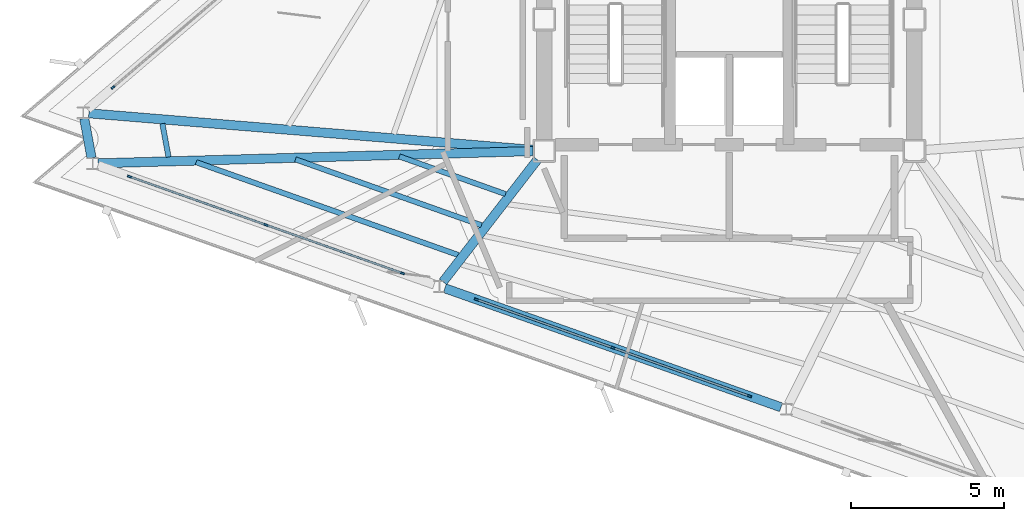
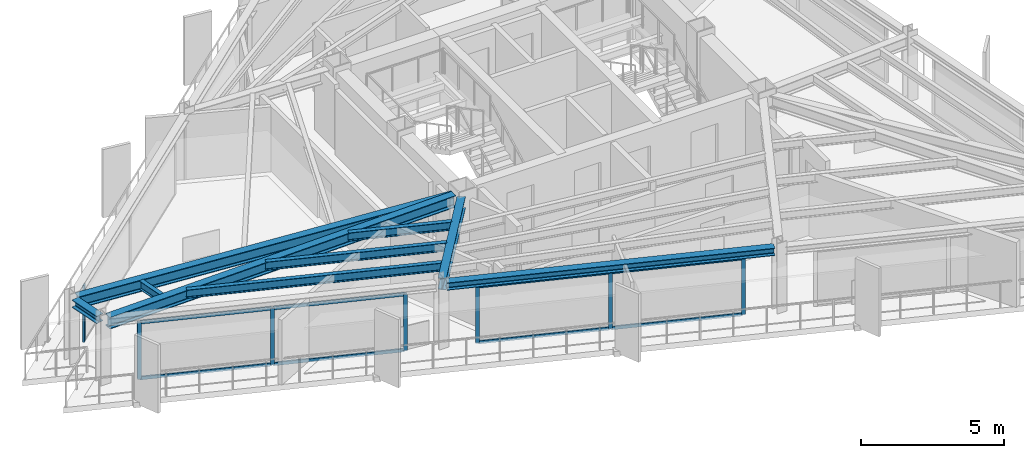
# One storey, part 2 of 14: 15 members, 9 beams, 3 elements without a shape of their own.
"""IFC4 building model written with IfcOpenShell, lengths in metres."""

from ifc_helpers import new_model, si_unit, direction, frame, origin, origin_2d, place, context, subcontext, project, spatial, rectangle, i_section, extrude, material, layer, layer_set, material_profile, profile_set, type_object, element, aggregate, save


model = new_model("IFC4")

# Units and contexts
model_context = context("Model", 3, precision=1e-05, world=origin(), true_north=direction((0.0, 1.0)))
body_context = subcontext(model_context, "Body", "Model", "MODEL_VIEW")
ifc_project = project(units=[si_unit("LENGTHUNIT", "METRE"), si_unit("AREAUNIT", "SQUARE_METRE"), si_unit("VOLUMEUNIT", "CUBIC_METRE"), si_unit("PLANEANGLEUNIT", "RADIAN"), si_unit("MASSUNIT", "GRAM", prefix="KILO")], contexts=[model_context])

# Site, building, storey
site_placement = place(None, origin())
site = spatial("IfcSite", under=ifc_project, at=site_placement, CompositionType="ELEMENT")
building_placement = place(site_placement, origin())
building = spatial("IfcBuilding", under=site, at=building_placement, Name="Rocaltana Carrier Exchange", CompositionType="ELEMENT")
storey_placement = place(building_placement, frame((0.0, 0.0, 178.39990234375)))
storey = spatial("IfcBuildingStorey", under=building, at=storey_placement, Name="L56", CompositionType="ELEMENT", Elevation=178.39990234375)

# Curtain wall, member
ifc_material_1 = material(Name="Aluminium 6063-T6", Category="aluminium")
ifc_layer = layer(ifc_material_1, 0.135009765625)
ifc_layer_set = layer_set([ifc_layer], Name="Aluminium 6063-T6")
curtain_wall_type = type_object("IfcCurtainWallType", Name="Upper-Mid Acoustic Curtain Wall CW-04", PredefinedType="NOTDEFINED", material=ifc_layer_set)
curtain_wall_1_placement = place(storey_placement, origin())
curtain_wall_1 = element("IfcCurtainWall", 1, at=curtain_wall_1_placement, inside=storey, type_object=curtain_wall_type, Name="L56 CW-04 Run CW-L56-F2S3", PredefinedType="NOTDEFINED")
ifc_material_2 = material(Name="Aluminium 6063-T6", Category="aluminium")
ifc_material_profile_1 = material_profile(ifc_material_2, rectangle(XDim=0.06494140625, YDim=0.135009765625, at=origin_2d()), Name="AL-65X135")
ifc_profile_set_1 = profile_set([ifc_material_profile_1], Name="Aluminium 6063-T6")
member_type_1 = type_object("IfcMemberType", Name="CW-04 Mullion AL-65X135", PredefinedType="MULLION", material=ifc_profile_set_1)
member_1_placement = place(storey_placement, frame((-20.14990234375, -2.2255859375, 0.0), z_axis=(0.0, 0.0, 1.0), x_axis=(0.649447944918, -0.760406053922, 0.0)))
member_1 = element("IfcMember", 2, at=member_1_placement, type_object=member_type_1, Name="CW-04 mullion 3", PredefinedType="MULLION", context=body_context, shape_type="SweptSolid", body=[
    extrude(rectangle(XDim=0.06494140625, YDim=0.135009765625, at=origin_2d()), origin(), (0.0, 0.0, 1.0), 2.447998046875),
])
aggregate(curtain_wall_1, [member_1])

# Curtain wall, members
curtain_wall_2_placement = place(storey_placement, origin())
curtain_wall_2 = element("IfcCurtainWall", 3, at=curtain_wall_2_placement, inside=storey, type_object=curtain_wall_type, Name="L56 CW-04 Run CW-L56-F3S1", PredefinedType="NOTDEFINED")
member_2_placement = place(storey_placement, frame((-19.609130859375, -5.143310546875, 0.0), z_axis=(0.0, 0.0, 1.0), x_axis=(0.333795491383, 0.942645516582, 0.0)))
member_2 = element("IfcMember", 4, at=member_2_placement, type_object=member_type_1, Name="CW-04 mullion 1", PredefinedType="MULLION", context=body_context, shape_type="SweptSolid", body=[
    extrude(rectangle(XDim=0.06494140625, YDim=0.135009765625, at=origin_2d()), origin(), (0.0, 0.0, 1.0), 2.447998046875),
])
member_3_placement = place(storey_placement, frame((-15.146484375, -6.7236328125, 0.0), z_axis=(0.0, 0.0, 1.0), x_axis=(0.333795491383, 0.942645516582, 0.0)))
member_3 = element("IfcMember", 5, at=member_3_placement, type_object=member_type_1, Name="CW-04 mullion 2", PredefinedType="MULLION", context=body_context, shape_type="SweptSolid", body=[
    extrude(rectangle(XDim=0.06494140625, YDim=0.135009765625, at=origin_2d()), origin(), (0.0, 0.0, 1.0), 2.447998046875),
])
member_4_placement = place(storey_placement, frame((-10.683837890625, -8.303955078125, 0.0), z_axis=(0.0, 0.0, 1.0), x_axis=(0.333795491383, 0.942645516582, 0.0)))
member_4 = element("IfcMember", 6, at=member_4_placement, type_object=member_type_1, Name="CW-04 mullion 3", PredefinedType="MULLION", context=body_context, shape_type="SweptSolid", body=[
    extrude(rectangle(XDim=0.06494140625, YDim=0.135009765625, at=origin_2d()), origin(), (0.0, 0.0, 1.0), 2.447998046875),
])

curtain_wall_3_placement = place(storey_placement, origin())
curtain_wall_3 = element("IfcCurtainWall", 7, at=curtain_wall_3_placement, inside=storey, type_object=curtain_wall_type, Name="L56 CW-04 Run CW-L56-F3S2", PredefinedType="NOTDEFINED")
member_5_placement = place(storey_placement, frame((-8.265869140625, -9.16015625, 0.0), z_axis=(0.0, 0.0, 1.0), x_axis=(0.333798791936, 0.942644347833, 0.0)))
member_5 = element("IfcMember", 8, at=member_5_placement, type_object=member_type_1, Name="CW-04 mullion 1", PredefinedType="MULLION", context=body_context, shape_type="SweptSolid", body=[
    extrude(rectangle(XDim=0.06494140625, YDim=0.135009765625, at=origin_2d()), origin(), (0.0, 0.0, 1.0), 2.447998046875),
])
member_6_placement = place(storey_placement, frame((-3.803466796875, -10.740478515625, 0.0), z_axis=(0.0, 0.0, 1.0), x_axis=(0.333798791936, 0.942644347833, 0.0)))
member_6 = element("IfcMember", 9, at=member_6_placement, type_object=member_type_1, Name="CW-04 mullion 2", PredefinedType="MULLION", context=body_context, shape_type="SweptSolid", body=[
    extrude(rectangle(XDim=0.06494140625, YDim=0.135009765625, at=origin_2d()), origin(), (0.0, 0.0, 1.0), 2.447998046875),
])
member_7_placement = place(storey_placement, frame((0.6591796875, -12.320556640625, 0.0), z_axis=(0.0, 0.0, 1.0), x_axis=(0.333798791936, 0.942644347833, 0.0)))
member_7 = element("IfcMember", 10, at=member_7_placement, type_object=member_type_1, Name="CW-04 mullion 3", PredefinedType="MULLION", context=body_context, shape_type="SweptSolid", body=[
    extrude(rectangle(XDim=0.06494140625, YDim=0.135009765625, at=origin_2d()), origin(), (0.0, 0.0, 1.0), 2.447998046875),
])

# Member
ifc_material_3 = material(Name="Aluminium 6063-T6", Category="aluminium")
ifc_material_profile_2 = material_profile(ifc_material_3, rectangle(XDim=0.06494140625, YDim=0.135009765625, at=origin_2d()), Name="AL-65X135")
ifc_profile_set_2 = profile_set([ifc_material_profile_2], Name="Aluminium 6063-T6")
member_type_2 = type_object("IfcMemberType", Name="CW-04 Transom AL-65X135", PredefinedType="USERDEFINED", material=ifc_profile_set_2)
member_8_placement = place(storey_placement, frame((-19.57861328125, -5.154296875, 0.03271484375), z_axis=(0.942658759466, -0.333758090841, 0.0), x_axis=(0.333758090841, 0.942658759466, 0.0)))
member_8 = element("IfcMember", 11, at=member_8_placement, type_object=member_type_2, Name="CW-04 transom 1.1", ObjectType="TRANSOM", PredefinedType="USERDEFINED", context=body_context, shape_type="SweptSolid", body=[
    extrude(rectangle(XDim=0.06494140625, YDim=0.135009765625, at=origin_2d()), origin(), (0.0, 0.0, 1.0), 4.669189453125),
])

member_9_placement = place(storey_placement, frame((-19.57861328125, -5.154296875, 2.41552734375), z_axis=(0.942658759466, -0.333758090841, 0.0), x_axis=(0.333758090841, 0.942658759466, 0.0)))
member_9 = element("IfcMember", 12, at=member_9_placement, type_object=member_type_2, Name="CW-04 transom 1.2", ObjectType="TRANSOM", PredefinedType="USERDEFINED", context=body_context, shape_type="SweptSolid", body=[
    extrude(rectangle(XDim=0.06494140625, YDim=0.135009765625, at=origin_2d()), origin(), (0.0, 0.0, 1.0), 4.669189453125),
])

member_10_placement = place(storey_placement, frame((-15.115966796875, -6.734375, 0.03271484375), z_axis=(0.942648133321, -0.333788101565, 0.0), x_axis=(0.333788101565, 0.942648133321, 0.0)))
member_10 = element("IfcMember", 13, at=member_10_placement, type_object=member_type_2, Name="CW-04 transom 2.1", ObjectType="TRANSOM", PredefinedType="USERDEFINED", context=body_context, shape_type="SweptSolid", body=[
    extrude(rectangle(XDim=0.06494140625, YDim=0.135009765625, at=origin_2d()), origin(), (0.0, 0.0, 1.0), 4.66943359375),
])

member_11_placement = place(storey_placement, frame((-15.115966796875, -6.734375, 2.41552734375), z_axis=(0.942648133321, -0.333788101565, 0.0), x_axis=(0.333788101565, 0.942648133321, 0.0)))
member_11 = element("IfcMember", 14, at=member_11_placement, type_object=member_type_2, Name="CW-04 transom 2.2", ObjectType="TRANSOM", PredefinedType="USERDEFINED", context=body_context, shape_type="SweptSolid", body=[
    extrude(rectangle(XDim=0.06494140625, YDim=0.135009765625, at=origin_2d()), origin(), (0.0, 0.0, 1.0), 4.66943359375),
])

aggregate(curtain_wall_2, [member_2, member_3, member_4, member_8, member_9, member_10, member_11])

member_12_placement = place(storey_placement, frame((-8.2353515625, -9.1708984375, 0.03271484375), z_axis=(0.942642307572, -0.333804553558, 0.0), x_axis=(0.333804553558, 0.942642307572, 0.0)))
member_12 = element("IfcMember", 15, at=member_12_placement, type_object=member_type_2, Name="CW-04 transom 1.1", ObjectType="TRANSOM", PredefinedType="USERDEFINED", context=body_context, shape_type="SweptSolid", body=[
    extrude(rectangle(XDim=0.06494140625, YDim=0.135009765625, at=origin_2d()), origin(), (0.0, 0.0, 1.0), 4.669189453125),
])

member_13_placement = place(storey_placement, frame((-8.2353515625, -9.1708984375, 2.41552734375), z_axis=(0.942642307572, -0.333804553558, 0.0), x_axis=(0.333804553558, 0.942642307572, 0.0)))
member_13 = element("IfcMember", 16, at=member_13_placement, type_object=member_type_2, Name="CW-04 transom 1.2", ObjectType="TRANSOM", PredefinedType="USERDEFINED", context=body_context, shape_type="SweptSolid", body=[
    extrude(rectangle(XDim=0.06494140625, YDim=0.135009765625, at=origin_2d()), origin(), (0.0, 0.0, 1.0), 4.669189453125),
])

member_14_placement = place(storey_placement, frame((-3.772705078125, -10.751220703125, 0.03271484375), z_axis=(0.942642307572, -0.333804553558, 0.0), x_axis=(0.333804553558, 0.942642307572, 0.0)))
member_14 = element("IfcMember", 17, at=member_14_placement, type_object=member_type_2, Name="CW-04 transom 2.1", ObjectType="TRANSOM", PredefinedType="USERDEFINED", context=body_context, shape_type="SweptSolid", body=[
    extrude(rectangle(XDim=0.06494140625, YDim=0.135009765625, at=origin_2d()), origin(), (0.0, 0.0, 1.0), 4.669189453125),
])

member_15_placement = place(storey_placement, frame((-3.772705078125, -10.751220703125, 2.41552734375), z_axis=(0.942642307572, -0.333804553558, 0.0), x_axis=(0.333804553558, 0.942642307572, 0.0)))
member_15 = element("IfcMember", 18, at=member_15_placement, type_object=member_type_2, Name="CW-04 transom 2.2", ObjectType="TRANSOM", PredefinedType="USERDEFINED", context=body_context, shape_type="SweptSolid", body=[
    extrude(rectangle(XDim=0.06494140625, YDim=0.135009765625, at=origin_2d()), origin(), (0.0, 0.0, 1.0), 4.669189453125),
])

aggregate(curtain_wall_3, [member_5, member_6, member_7, member_12, member_13, member_14, member_15])

# Beams
ifc_material_4 = material(Name="Steel S355", Category="steel")
ifc_material_profile_3 = material_profile(ifc_material_4, i_section(OverallWidth=0.172119140625, OverallDepth=0.35791015625, WebThickness=0.0078125, FlangeThickness=0.01318359375, FilletRadius=0.011962890625, at=origin_2d()), Name="W14X38")
ifc_profile_set_3 = profile_set([ifc_material_profile_3], Name="Steel S355")
beam_type_1 = type_object("IfcBeamType", Name="Floor Joist W14X38", PredefinedType="JOIST", material=ifc_profile_set_3)
beam_1_placement = place(storey_placement, frame((-18.5361328125, -3.4111328125, 2.619140625), z_axis=(0.182270341783, -0.983248454108, 0.0), x_axis=(0.983248454108, 0.182270341783, 0.0)))
element("IfcBeam", 19, at=beam_1_placement, inside=storey, type_object=beam_type_1, Name="FJ-L56-08-3", PredefinedType="JOIST", context=body_context, shape_type="SweptSolid", body=[
    extrude(i_section(OverallWidth=0.172119140625, OverallDepth=0.35791015625, WebThickness=0.0078125, FlangeThickness=0.01318359375, FilletRadius=0.011962890625, at=origin_2d()), origin(), (0.0, 0.0, 1.0), 1.1103515625),
])
beam_2_placement = place(storey_placement, frame((-10.78759765625, -4.485107421875, 2.619140625), z_axis=(0.94263244024, -0.333832416951, 0.0), x_axis=(0.333832416951, 0.94263244024, 0.0)))
element("IfcBeam", 20, at=beam_2_placement, inside=storey, type_object=beam_type_1, Name="FJ-L56-09-1", PredefinedType="JOIST", context=body_context, shape_type="SweptSolid", body=[
    extrude(i_section(OverallWidth=0.172119140625, OverallDepth=0.35791015625, WebThickness=0.0078125, FlangeThickness=0.01318359375, FilletRadius=0.011962890625, at=origin_2d()), origin(), (0.0, 0.0, 1.0), 3.682861328125),
])
beam_3_placement = place(storey_placement, frame((-14.184326171875, -4.58056640625, 2.619140625), z_axis=(0.942637646352, -0.333817716246, 0.0), x_axis=(0.333817716246, 0.942637646352, 0.0)))
element("IfcBeam", 21, at=beam_3_placement, inside=storey, type_object=beam_type_1, Name="FJ-L56-09-2", PredefinedType="JOIST", context=body_context, shape_type="SweptSolid", body=[
    extrude(i_section(OverallWidth=0.172119140625, OverallDepth=0.35791015625, WebThickness=0.0078125, FlangeThickness=0.01318359375, FilletRadius=0.011962890625, at=origin_2d()), origin(), (0.0, 0.0, 1.0), 6.45068359375),
])
beam_4_placement = place(storey_placement, frame((-17.433349609375, -4.671875, 2.619140625), z_axis=(0.942637076776, -0.333819324616, 0.0), x_axis=(0.333819324616, 0.942637076776, 0.0)))
element("IfcBeam", 22, at=beam_4_placement, inside=storey, type_object=beam_type_1, Name="FJ-L56-09-3", PredefinedType="JOIST", context=body_context, shape_type="SweptSolid", body=[
    extrude(i_section(OverallWidth=0.172119140625, OverallDepth=0.35791015625, WebThickness=0.0078125, FlangeThickness=0.01318359375, FilletRadius=0.011962890625, at=origin_2d()), origin(), (0.0, 0.0, 1.0), 9.09814453125),
])
ifc_material_5 = material(Name="Steel S355", Category="steel")
ifc_material_profile_4 = material_profile(ifc_material_5, i_section(OverallWidth=0.300048828125, OverallDepth=0.320068359375, WebThickness=0.011474609375, FlangeThickness=0.0205078125, FilletRadius=0.027099609375, at=origin_2d()), Name="HEB320")
ifc_profile_set_4 = profile_set([ifc_material_profile_4], Name="Steel S355")
beam_type_2 = type_object("IfcBeamType", Name="Spandrel Edge Beam HEB320", PredefinedType="SPANDREL", material=ifc_profile_set_4)
beam_5_placement = place(storey_placement, frame((-21.09130859375, -3.240966796875, 2.63818359375), z_axis=(0.182302199859, -0.983242547862, 0.0), x_axis=(0.983242547862, 0.182302199859, 0.0)))
element("IfcBeam", 23, at=beam_5_placement, inside=storey, type_object=beam_type_2, Name="SP-L56-08", PredefinedType="SPANDREL", context=body_context, shape_type="SweptSolid", body=[
    extrude(i_section(OverallWidth=0.300048828125, OverallDepth=0.320068359375, WebThickness=0.011474609375, FlangeThickness=0.0205078125, FilletRadius=0.027099609375, at=origin_2d()), origin(), (0.0, 0.0, 1.0), 1.313720703125),
])
beam_6_placement = place(storey_placement, frame((-9.300048828125, -8.7939453125, 2.63818359375), z_axis=(0.942638890489, -0.333814203019, 0.0), x_axis=(0.333814203019, 0.942638890489, 0.0)))
element("IfcBeam", 24, at=beam_6_placement, inside=storey, type_object=beam_type_2, Name="SP-L56-10", PredefinedType="SPANDREL", context=body_context, shape_type="SweptSolid", body=[
    extrude(i_section(OverallWidth=0.300048828125, OverallDepth=0.320068359375, WebThickness=0.011474609375, FlangeThickness=0.0205078125, FilletRadius=0.027099609375, at=origin_2d()), origin(), (0.0, 0.0, 1.0), 11.662353515625),
])
ifc_material_6 = material(Name="Steel S355", Category="steel")
ifc_material_profile_5 = material_profile(ifc_material_6, i_section(OverallWidth=0.300048828125, OverallDepth=0.5, WebThickness=0.014404296875, FlangeThickness=0.028076171875, FilletRadius=0.027099609375, at=origin_2d()), Name="HEB500")
ifc_profile_set_5 = profile_set([ifc_material_profile_5], Name="Steel S355")
beam_type_3 = type_object("IfcBeamType", Name="Upper Radial Girder HEB500", PredefinedType="BEAM", material=ifc_profile_set_5)
beam_7_placement = place(storey_placement, frame((-6.415771484375, -4.27001953125, 2.548095703125), z_axis=(-0.99662524514, 0.082086056969, 0.0), x_axis=(-0.082086056969, -0.99662524514, 0.0)))
element("IfcBeam", 25, at=beam_7_placement, inside=storey, type_object=beam_type_3, Name="RG-L56-08", PredefinedType="BEAM", context=body_context, shape_type="SweptSolid", body=[
    extrude(i_section(OverallWidth=0.300048828125, OverallDepth=0.5, WebThickness=0.014404296875, FlangeThickness=0.028076171875, FilletRadius=0.027099609375, at=origin_2d()), origin(), (0.0, 0.0, 1.0), 14.573486328125),
])
beam_8_placement = place(storey_placement, frame((-6.4169921875, -4.310302734375, 2.548095703125), z_axis=(-0.999605046226, -0.028102518731, 0.0), x_axis=(0.028102518731, -0.999605046226, 0.0)))
element("IfcBeam", 26, at=beam_8_placement, inside=storey, type_object=beam_type_3, Name="RG-L56-09", PredefinedType="BEAM", context=body_context, shape_type="SweptSolid", body=[
    extrude(i_section(OverallWidth=0.300048828125, OverallDepth=0.5, WebThickness=0.014404296875, FlangeThickness=0.028076171875, FilletRadius=0.027099609375, at=origin_2d()), origin(), (0.0, 0.0, 1.0), 14.221435546875),
])
beam_9_placement = place(storey_placement, frame((-6.2744140625, -4.59033203125, 2.548095703125), z_axis=(-0.611473649779, -0.791264794886, 0.0), x_axis=(0.791264794886, -0.611473649779, 0.0)))
element("IfcBeam", 27, at=beam_9_placement, inside=storey, type_object=beam_type_3, Name="RG-L56-10", PredefinedType="BEAM", context=body_context, shape_type="SweptSolid", body=[
    extrude(i_section(OverallWidth=0.300048828125, OverallDepth=0.5, WebThickness=0.014404296875, FlangeThickness=0.028076171875, FilletRadius=0.027099609375, at=origin_2d()), origin(), (0.0, 0.0, 1.0), 5.048828125),
])

save(model, "model.ifc")
